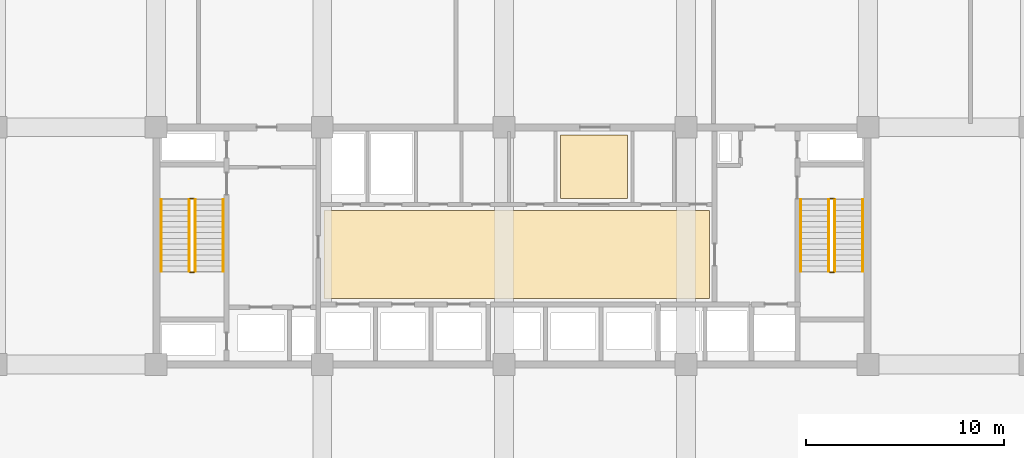
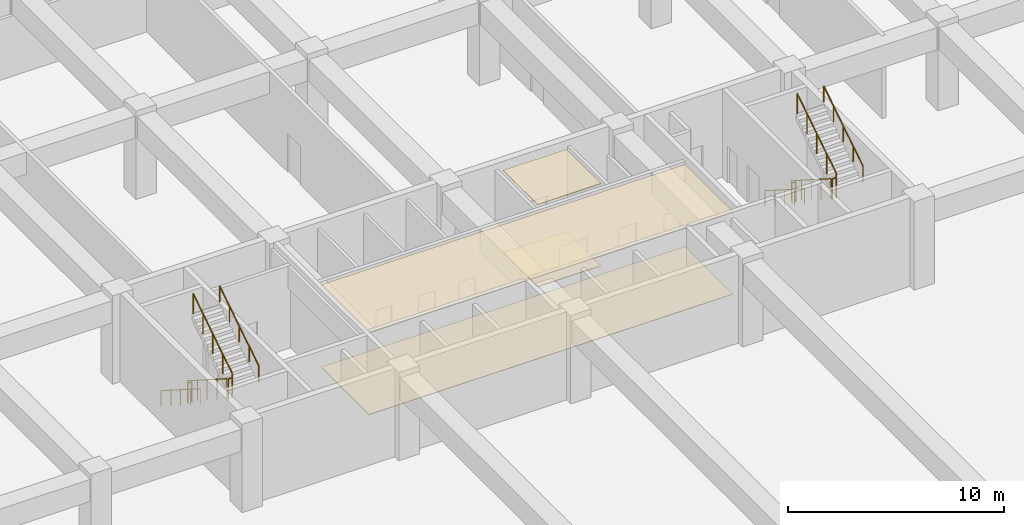
# One storey, part 37 of 38: 12 railings, 4 coverings.
"""IFC4 building model written with IfcOpenShell, lengths in metres."""

from ifc_helpers import new_model, si_unit, direction, frame, origin, origin_2d, place, context, subcontext, project, spatial, polyline, circle, outline, extrude, material, layer, layer_set, type_object, element, save


model = new_model("IFC4")

# Units and contexts
model_context = context("Model", 3, precision=1e-05, world=origin(), true_north=direction((0.0, 1.0)))
body_context = subcontext(model_context, "Body", "Model", "MODEL_VIEW")
ifc_project = project(units=[si_unit("LENGTHUNIT", "METRE"), si_unit("AREAUNIT", "SQUARE_METRE"), si_unit("VOLUMEUNIT", "CUBIC_METRE"), si_unit("PLANEANGLEUNIT", "RADIAN"), si_unit("MASSUNIT", "GRAM", prefix="KILO")], contexts=[model_context])

# Site, building, storey
site_placement = place(None, origin())
site = spatial("IfcSite", under=ifc_project, at=site_placement, CompositionType="ELEMENT")
building_placement = place(site_placement, origin())
building = spatial("IfcBuilding", under=site, at=building_placement, Name="Korimba Cascade Residences", CompositionType="ELEMENT")
storey_placement = place(building_placement, frame((0.0, 0.0, 19.0)))
storey = spatial("IfcBuildingStorey", under=building, at=storey_placement, Name="L04", CompositionType="ELEMENT", Elevation=19.0)

# Coverings
ifc_material_1 = material(Name="Perforated Acoustic Gypsum Ceiling", Category="gypsum")
ifc_layer_1 = layer(ifc_material_1, 0.02490234375)
ifc_layer_set_1 = layer_set([ifc_layer_1], Name="Perforated Acoustic Gypsum Ceiling")
covering_type_1 = type_object("IfcCoveringType", Name="COV-CLG-AC", PredefinedType="CEILING", material=ifc_layer_set_1)
covering_1_placement = place(storey_placement, frame((0.0, 0.0, 4.655029296875)))
element("IfcCovering", 1, at=covering_1_placement, inside=storey, type_object=covering_type_1, Name="L04 Suspended Acoustic Ceiling L04-LL1", PredefinedType="CEILING", context=body_context, shape_type="SweptSolid", body=[
    extrude(outline(polyline([(84.60009765625, 58.550048828125), (104.10009765625, 58.550048828125), (104.10009765625, 63.0), (84.60009765625, 63.0), (84.60009765625, 58.550048828125)])), origin(), (0.0, 0.0, 1.0), 0.02490234375),
])
covering_2_placement = place(storey_placement, frame((0.0, 0.0, 4.655029296875)))
element("IfcCovering", 2, at=covering_2_placement, inside=storey, type_object=covering_type_1, Name="L04 Suspended Acoustic Ceiling L04-LT1", PredefinedType="CEILING", context=body_context, shape_type="SweptSolid", body=[
    extrude(outline(polyline([(96.550048828125, 63.60009765625), (99.949951171875, 63.60009765625), (99.949951171875, 66.800048828125), (96.550048828125, 66.800048828125), (96.550048828125, 63.60009765625)])), origin(), (0.0, 0.0, 1.0), 0.02490234375),
])
ifc_material_2 = material(Name="Honed Travertine Stone Flooring", Category="masonry")
ifc_layer_2 = layer(ifc_material_2, 0.02490234375)
ifc_layer_set_2 = layer_set([ifc_layer_2], Name="Honed Travertine Stone Flooring")
covering_type_2 = type_object("IfcCoveringType", Name="COV-FLR-STN", PredefinedType="FLOORING", material=ifc_layer_set_2)
covering_3_placement = place(storey_placement, origin())
element("IfcCovering", 3, at=covering_3_placement, inside=storey, type_object=covering_type_2, Name="L04 Honed Travertine Stone Flooring L04-LL1", PredefinedType="FLOORING", context=body_context, shape_type="SweptSolid", body=[
    extrude(outline(polyline([(84.60009765625, 58.550048828125), (104.10009765625, 58.550048828125), (104.10009765625, 63.0), (84.60009765625, 63.0), (84.60009765625, 58.550048828125)])), origin(), (0.0, 0.0, 1.0), 0.02490234375),
])
covering_4_placement = place(storey_placement, origin())
element("IfcCovering", 4, at=covering_4_placement, inside=storey, type_object=covering_type_2, Name="L04 Honed Travertine Stone Flooring L04-LT1", PredefinedType="FLOORING", context=body_context, shape_type="SweptSolid", body=[
    extrude(outline(polyline([(96.550048828125, 63.60009765625), (99.949951171875, 63.60009765625), (99.949951171875, 66.800048828125), (96.550048828125, 66.800048828125), (96.550048828125, 63.60009765625)])), origin(), (0.0, 0.0, 1.0), 0.02490234375),
])

# Railings
ifc_material_3 = material(Name="Painted Steel Stairwell Guardrail", Category="steel")
railing_type_1 = type_object("IfcRailingType", Name="RLG-ST-GD1150", PredefinedType="GUARDRAIL", material=ifc_material_3)
railing_1_placement = place(storey_placement, frame((77.77001953125, 63.550048828125, 0.178466796875)))
element("IfcRailing", 5, at=railing_1_placement, inside=storey, type_object=railing_type_1, Name="L04 ST-W1 stair guard 1", PredefinedType="GUARDRAIL", context=body_context, shape_type="SweptSolid", body=[
    extrude(circle(Radius=0.02392578125, at=origin_2d()), frame((0.0, 0.0, 1.1259765625), z_axis=(0.0, -0.843127859045, 0.537713132908), x_axis=(1.0, 0.0, 0.0)), (0.0, 0.0, 1.0), 4.3173828125),
    extrude(circle(Radius=0.02099609375, at=origin_2d()), origin(), (0.0, 0.0, 1.0), 1.101806640625),
    extrude(circle(Radius=0.02099609375, at=origin_2d()), frame((0.0, -0.91015625, 0.580322265625)), (0.0, 0.0, 1.0), 1.101806640625),
    extrude(circle(Radius=0.02099609375, at=origin_2d()), frame((0.0, -1.820068359375, 1.16064453125)), (0.0, 0.0, 1.0), 1.101806640625),
    extrude(circle(Radius=0.02099609375, at=origin_2d()), frame((0.0, -2.72998046875, 1.7412109375)), (0.0, 0.0, 1.0), 1.101806640625),
    extrude(circle(Radius=0.02099609375, at=origin_2d()), frame((0.0, -3.64013671875, 2.321533203125)), (0.0, 0.0, 1.0), 1.101806640625),
])
railing_2_placement = place(storey_placement, frame((77.820068359375, 59.860107421875, 2.5)))
element("IfcRailing", 6, at=railing_2_placement, inside=storey, type_object=railing_type_1, Name="L04 ST-W1 stair guard 2", PredefinedType="GUARDRAIL", context=body_context, shape_type="SweptSolid", body=[
    extrude(circle(Radius=0.02392578125, at=origin_2d()), frame((0.0, 0.0, 1.1259765625), z_axis=(1.0, 0.0, 0.0), x_axis=(0.0, 1.0, 0.0)), (0.0, 0.0, 1.0), 0.199951171875),
    extrude(circle(Radius=0.02099609375, at=origin_2d()), origin(), (0.0, 0.0, 1.0), 1.101806640625),
    extrude(circle(Radius=0.02099609375, at=origin_2d()), frame((0.199951171875, 0.0, 0.0)), (0.0, 0.0, 1.0), 1.101806640625),
])
railing_3_placement = place(storey_placement, frame((78.070068359375, 59.909912109375, 2.678466796875)))
element("IfcRailing", 7, at=railing_3_placement, inside=storey, type_object=railing_type_1, Name="L04 ST-W1 stair guard 3", PredefinedType="GUARDRAIL", context=body_context, shape_type="SweptSolid", body=[
    extrude(circle(Radius=0.02392578125, at=origin_2d()), frame((0.0, 0.0, 1.1259765625), z_axis=(0.0, 0.843127859045, 0.537713132908), x_axis=(-1.0, 0.0, 0.0)), (0.0, 0.0, 1.0), 4.3173828125),
    extrude(circle(Radius=0.02099609375, at=origin_2d()), origin(), (0.0, 0.0, 1.0), 1.101806640625),
    extrude(circle(Radius=0.02099609375, at=origin_2d()), frame((0.0, 0.91015625, 0.580322265625)), (0.0, 0.0, 1.0), 1.101806640625),
    extrude(circle(Radius=0.02099609375, at=origin_2d()), frame((0.0, 1.820068359375, 1.16064453125)), (0.0, 0.0, 1.0), 1.101806640625),
    extrude(circle(Radius=0.02099609375, at=origin_2d()), frame((0.0, 2.72998046875, 1.7412109375)), (0.0, 0.0, 1.0), 1.101806640625),
    extrude(circle(Radius=0.02099609375, at=origin_2d()), frame((0.0, 3.64013671875, 2.321533203125)), (0.0, 0.0, 1.0), 1.101806640625),
])
railing_4_placement = place(storey_placement, frame((77.820068359375, 63.60009765625, 0.0)))
element("IfcRailing", 8, at=railing_4_placement, inside=storey, type_object=railing_type_1, Name="L04 ST-W1 stair guard 4", PredefinedType="GUARDRAIL", context=body_context, shape_type="SweptSolid", body=[
    extrude(circle(Radius=0.02392578125, at=origin_2d()), frame((0.0, 0.0, 1.1259765625), z_axis=(1.0, 0.0, 0.0), x_axis=(0.0, 1.0, 0.0)), (0.0, 0.0, 1.0), 0.199951171875),
    extrude(circle(Radius=0.02099609375, at=origin_2d()), origin(), (0.0, 0.0, 1.0), 1.101806640625),
    extrude(circle(Radius=0.02099609375, at=origin_2d()), frame((0.199951171875, 0.0, 0.0)), (0.0, 0.0, 1.0), 1.101806640625),
])
railing_5_placement = place(storey_placement, frame((110.1298828125, 63.550048828125, 0.178466796875)))
element("IfcRailing", 9, at=railing_5_placement, inside=storey, type_object=railing_type_1, Name="L04 ST-W2 stair guard 1", PredefinedType="GUARDRAIL", context=body_context, shape_type="SweptSolid", body=[
    extrude(circle(Radius=0.02392578125, at=origin_2d()), frame((0.0, 0.0, 1.1259765625), z_axis=(0.0, -0.843127859045, 0.537713132908), x_axis=(1.0, 0.0, 0.0)), (0.0, 0.0, 1.0), 4.3173828125),
    extrude(circle(Radius=0.02099609375, at=origin_2d()), origin(), (0.0, 0.0, 1.0), 1.101806640625),
    extrude(circle(Radius=0.02099609375, at=origin_2d()), frame((0.0, -0.91015625, 0.580322265625)), (0.0, 0.0, 1.0), 1.101806640625),
    extrude(circle(Radius=0.02099609375, at=origin_2d()), frame((0.0, -1.820068359375, 1.16064453125)), (0.0, 0.0, 1.0), 1.101806640625),
    extrude(circle(Radius=0.02099609375, at=origin_2d()), frame((0.0, -2.72998046875, 1.7412109375)), (0.0, 0.0, 1.0), 1.101806640625),
    extrude(circle(Radius=0.02099609375, at=origin_2d()), frame((0.0, -3.64013671875, 2.321533203125)), (0.0, 0.0, 1.0), 1.101806640625),
])
railing_6_placement = place(storey_placement, frame((110.179931640625, 59.860107421875, 2.5)))
element("IfcRailing", 10, at=railing_6_placement, inside=storey, type_object=railing_type_1, Name="L04 ST-W2 stair guard 2", PredefinedType="GUARDRAIL", context=body_context, shape_type="SweptSolid", body=[
    extrude(circle(Radius=0.02392578125, at=origin_2d()), frame((0.0, 0.0, 1.1259765625), z_axis=(1.0, 0.0, 0.0), x_axis=(0.0, 1.0, 0.0)), (0.0, 0.0, 1.0), 0.199951171875),
    extrude(circle(Radius=0.02099609375, at=origin_2d()), origin(), (0.0, 0.0, 1.0), 1.101806640625),
    extrude(circle(Radius=0.02099609375, at=origin_2d()), frame((0.199951171875, 0.0, 0.0)), (0.0, 0.0, 1.0), 1.101806640625),
])
railing_7_placement = place(storey_placement, frame((110.429931640625, 59.909912109375, 2.678466796875)))
element("IfcRailing", 11, at=railing_7_placement, inside=storey, type_object=railing_type_1, Name="L04 ST-W2 stair guard 3", PredefinedType="GUARDRAIL", context=body_context, shape_type="SweptSolid", body=[
    extrude(circle(Radius=0.02392578125, at=origin_2d()), frame((0.0, 0.0, 1.1259765625), z_axis=(0.0, 0.843127859045, 0.537713132908), x_axis=(-1.0, 0.0, 0.0)), (0.0, 0.0, 1.0), 4.3173828125),
    extrude(circle(Radius=0.02099609375, at=origin_2d()), origin(), (0.0, 0.0, 1.0), 1.101806640625),
    extrude(circle(Radius=0.02099609375, at=origin_2d()), frame((0.0, 0.91015625, 0.580322265625)), (0.0, 0.0, 1.0), 1.101806640625),
    extrude(circle(Radius=0.02099609375, at=origin_2d()), frame((0.0, 1.820068359375, 1.16064453125)), (0.0, 0.0, 1.0), 1.101806640625),
    extrude(circle(Radius=0.02099609375, at=origin_2d()), frame((0.0, 2.72998046875, 1.7412109375)), (0.0, 0.0, 1.0), 1.101806640625),
    extrude(circle(Radius=0.02099609375, at=origin_2d()), frame((0.0, 3.64013671875, 2.321533203125)), (0.0, 0.0, 1.0), 1.101806640625),
])
railing_8_placement = place(storey_placement, frame((110.179931640625, 63.60009765625, 0.0)))
element("IfcRailing", 12, at=railing_8_placement, inside=storey, type_object=railing_type_1, Name="L04 ST-W2 stair guard 4", PredefinedType="GUARDRAIL", context=body_context, shape_type="SweptSolid", body=[
    extrude(circle(Radius=0.02392578125, at=origin_2d()), frame((0.0, 0.0, 1.1259765625), z_axis=(1.0, 0.0, 0.0), x_axis=(0.0, 1.0, 0.0)), (0.0, 0.0, 1.0), 0.199951171875),
    extrude(circle(Radius=0.02099609375, at=origin_2d()), origin(), (0.0, 0.0, 1.0), 1.101806640625),
    extrude(circle(Radius=0.02099609375, at=origin_2d()), frame((0.199951171875, 0.0, 0.0)), (0.0, 0.0, 1.0), 1.101806640625),
])
ifc_material_4 = material(Name="Brushed Stainless Steel Handrail", Category="steel")
railing_type_2 = type_object("IfcRailingType", Name="RLG-ST-HR900", PredefinedType="HANDRAIL", material=ifc_material_4)
railing_9_placement = place(storey_placement, frame((76.35009765625, 63.550048828125, 0.36083984375)))
element("IfcRailing", 13, at=railing_9_placement, inside=storey, type_object=railing_type_2, Name="L04 ST-W1 stair handrail 1", PredefinedType="HANDRAIL", context=body_context, shape_type="SweptSolid", body=[
    extrude(circle(Radius=0.02392578125, at=origin_2d()), frame((0.0, 0.0, 0.8759765625), z_axis=(0.0, -0.843127859045, 0.537713132908), x_axis=(1.0, 0.0, 0.0)), (0.0, 0.0, 1.0), 4.3173828125),
    extrude(circle(Radius=0.02099609375, at=origin_2d()), origin(), (0.0, 0.0, 1.0), 0.851806640625),
    extrude(circle(Radius=0.02099609375, at=origin_2d()), frame((0.0, -0.91015625, 0.580322265625)), (0.0, 0.0, 1.0), 0.851806640625),
    extrude(circle(Radius=0.02099609375, at=origin_2d()), frame((0.0, -1.820068359375, 1.16064453125)), (0.0, 0.0, 1.0), 0.851806640625),
    extrude(circle(Radius=0.02099609375, at=origin_2d()), frame((0.0, -2.72998046875, 1.7412109375)), (0.0, 0.0, 1.0), 0.851806640625),
    extrude(circle(Radius=0.02099609375, at=origin_2d()), frame((0.0, -3.64013671875, 2.321533203125)), (0.0, 0.0, 1.0), 0.851806640625),
])
railing_10_placement = place(storey_placement, frame((79.489990234375, 59.909912109375, 2.86083984375)))
element("IfcRailing", 14, at=railing_10_placement, inside=storey, type_object=railing_type_2, Name="L04 ST-W1 stair handrail 2", PredefinedType="HANDRAIL", context=body_context, shape_type="SweptSolid", body=[
    extrude(circle(Radius=0.02392578125, at=origin_2d()), frame((0.0, 0.0, 0.8759765625), z_axis=(0.0, 0.843127859045, 0.537713132908), x_axis=(-1.0, 0.0, 0.0)), (0.0, 0.0, 1.0), 4.3173828125),
    extrude(circle(Radius=0.02099609375, at=origin_2d()), origin(), (0.0, 0.0, 1.0), 0.851806640625),
    extrude(circle(Radius=0.02099609375, at=origin_2d()), frame((0.0, 0.91015625, 0.580322265625)), (0.0, 0.0, 1.0), 0.851806640625),
    extrude(circle(Radius=0.02099609375, at=origin_2d()), frame((0.0, 1.820068359375, 1.16064453125)), (0.0, 0.0, 1.0), 0.851806640625),
    extrude(circle(Radius=0.02099609375, at=origin_2d()), frame((0.0, 2.72998046875, 1.7412109375)), (0.0, 0.0, 1.0), 0.851806640625),
    extrude(circle(Radius=0.02099609375, at=origin_2d()), frame((0.0, 3.64013671875, 2.321533203125)), (0.0, 0.0, 1.0), 0.851806640625),
])
railing_11_placement = place(storey_placement, frame((108.7099609375, 63.550048828125, 0.36083984375)))
element("IfcRailing", 15, at=railing_11_placement, inside=storey, type_object=railing_type_2, Name="L04 ST-W2 stair handrail 1", PredefinedType="HANDRAIL", context=body_context, shape_type="SweptSolid", body=[
    extrude(circle(Radius=0.02392578125, at=origin_2d()), frame((0.0, 0.0, 0.8759765625), z_axis=(0.0, -0.843127859045, 0.537713132908), x_axis=(1.0, 0.0, 0.0)), (0.0, 0.0, 1.0), 4.3173828125),
    extrude(circle(Radius=0.02099609375, at=origin_2d()), origin(), (0.0, 0.0, 1.0), 0.851806640625),
    extrude(circle(Radius=0.02099609375, at=origin_2d()), frame((0.0, -0.91015625, 0.580322265625)), (0.0, 0.0, 1.0), 0.851806640625),
    extrude(circle(Radius=0.02099609375, at=origin_2d()), frame((0.0, -1.820068359375, 1.16064453125)), (0.0, 0.0, 1.0), 0.851806640625),
    extrude(circle(Radius=0.02099609375, at=origin_2d()), frame((0.0, -2.72998046875, 1.7412109375)), (0.0, 0.0, 1.0), 0.851806640625),
    extrude(circle(Radius=0.02099609375, at=origin_2d()), frame((0.0, -3.64013671875, 2.321533203125)), (0.0, 0.0, 1.0), 0.851806640625),
])
railing_12_placement = place(storey_placement, frame((111.85009765625, 59.909912109375, 2.86083984375)))
element("IfcRailing", 16, at=railing_12_placement, inside=storey, type_object=railing_type_2, Name="L04 ST-W2 stair handrail 2", PredefinedType="HANDRAIL", context=body_context, shape_type="SweptSolid", body=[
    extrude(circle(Radius=0.02392578125, at=origin_2d()), frame((0.0, 0.0, 0.8759765625), z_axis=(0.0, 0.843127859045, 0.537713132908), x_axis=(-1.0, 0.0, 0.0)), (0.0, 0.0, 1.0), 4.3173828125),
    extrude(circle(Radius=0.02099609375, at=origin_2d()), origin(), (0.0, 0.0, 1.0), 0.851806640625),
    extrude(circle(Radius=0.02099609375, at=origin_2d()), frame((0.0, 0.91015625, 0.580322265625)), (0.0, 0.0, 1.0), 0.851806640625),
    extrude(circle(Radius=0.02099609375, at=origin_2d()), frame((0.0, 1.820068359375, 1.16064453125)), (0.0, 0.0, 1.0), 0.851806640625),
    extrude(circle(Radius=0.02099609375, at=origin_2d()), frame((0.0, 2.72998046875, 1.7412109375)), (0.0, 0.0, 1.0), 0.851806640625),
    extrude(circle(Radius=0.02099609375, at=origin_2d()), frame((0.0, 3.64013671875, 2.321533203125)), (0.0, 0.0, 1.0), 0.851806640625),
])

save(model, "model.ifc")
